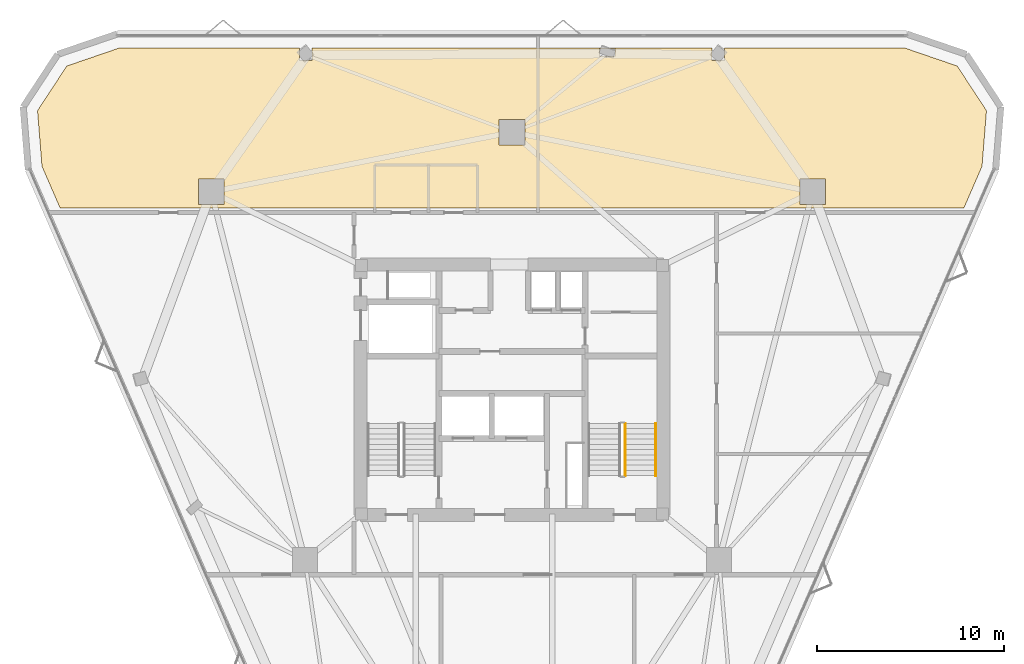
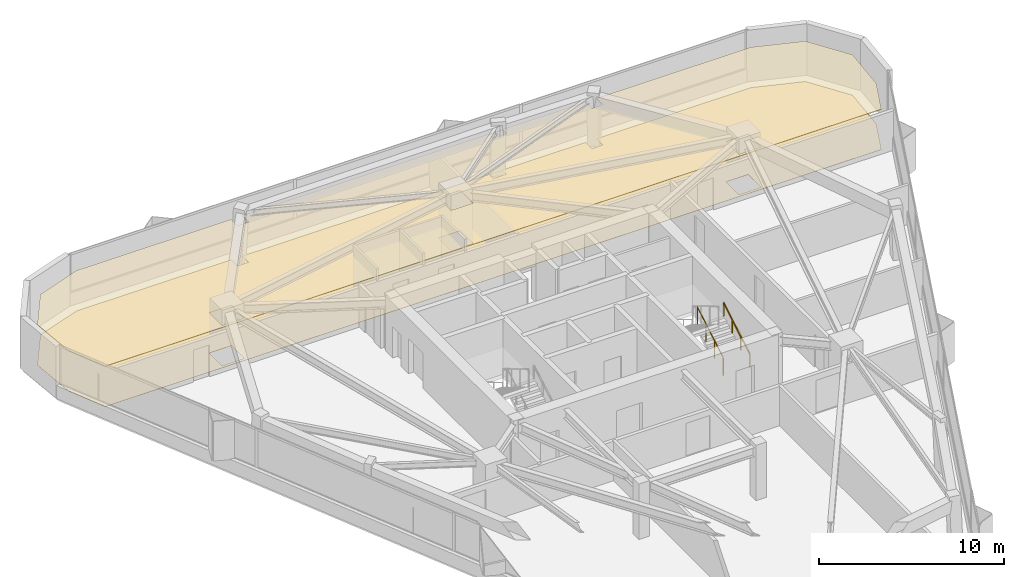
# One storey, part 13 of 13: 2 coverings, 2 railings.
"""IFC4 building model written with IfcOpenShell, lengths in metres."""

from ifc_helpers import new_model, si_unit, direction, frame, origin, origin_2d, place, context, subcontext, project, spatial, polyline, rectangle, outline, extrude, material, layer, layer_set, type_object, element, save


model = new_model("IFC4")

# Units and contexts
model_context = context("Model", 3, precision=1e-05, world=origin(), true_north=direction((0.0, 1.0)))
body_context = subcontext(model_context, "Body", "Model", "MODEL_VIEW")
ifc_project = project(units=[si_unit("LENGTHUNIT", "METRE"), si_unit("AREAUNIT", "SQUARE_METRE"), si_unit("VOLUMEUNIT", "CUBIC_METRE"), si_unit("PLANEANGLEUNIT", "RADIAN"), si_unit("MASSUNIT", "GRAM", prefix="KILO")], contexts=[model_context])

# Site, building, storey
site_placement = place(None, origin())
site = spatial("IfcSite", under=ifc_project, at=site_placement, CompositionType="ELEMENT")
building_placement = place(site_placement, origin())
building = spatial("IfcBuilding", under=site, at=building_placement, Name="Talyreon Biosciences Tower", CompositionType="ELEMENT")
storey_placement = place(building_placement, frame((0.0, 0.0, 190.35009765625)))
storey = spatial("IfcBuildingStorey", under=building, at=storey_placement, Name="L50", CompositionType="ELEMENT", Elevation=190.35009765625)

# Coverings
ifc_material_1 = material(Name="Cleanable acoustic mineral-fibre ceiling tile", Category="gypsum")
ifc_layer_1 = layer(ifc_material_1, 0.0400390625)
ifc_layer_set_1 = layer_set([ifc_layer_1], Name="Cleanable acoustic mineral-fibre ceiling tile")
covering_type_1 = type_object("IfcCoveringType", Name="AcousticCleanroomCeiling_40", PredefinedType="CEILING", material=ifc_layer_set_1)
covering_1_placement = place(storey_placement, frame((0.0, 0.0, 2.639892578125)))
element("IfcCovering", 1, at=covering_1_placement, inside=storey, type_object=covering_type_1, Name="L50 Acoustic Laboratory Ceiling", PredefinedType="CEILING", context=body_context, shape_type="SweptSolid", body=[
    extrude(outline(polyline([(40.59912109375, 82.94287109375), (42.166015625, 85.332763671875), (44.994140625, 86.302001953125), (54.623046875, 86.302001953125), (54.623046875, 85.623291015625), (55.302978515625, 85.623291015625), (55.302978515625, 86.302001953125), (76.697021484375, 86.302001953125), (76.697021484375, 85.623291015625), (77.376953125, 85.623291015625), (77.376953125, 86.302001953125), (87.005859375, 86.302001953125), (89.833984375, 85.332763671875), (91.40087890625, 82.94287109375), (91.16162109375, 79.962646484375), (90.1904296875, 77.72998046875), (41.8095703125, 77.72998046875), (40.83837890625, 79.962646484375), (40.59912109375, 82.94287109375)]), holes=[polyline([(49.20751953125, 77.90869140625), (50.587646484375, 77.90869140625), (50.587646484375, 79.288818359375), (49.20751953125, 79.288818359375), (49.20751953125, 77.90869140625)]), polyline([(65.31005859375, 81.098876953125), (66.68994140625, 81.098876953125), (66.68994140625, 82.47900390625), (65.31005859375, 82.47900390625), (65.31005859375, 81.098876953125)]), polyline([(82.79248046875, 77.90869140625), (82.79248046875, 79.288818359375), (81.412353515625, 79.288818359375), (81.412353515625, 77.90869140625), (82.79248046875, 77.90869140625)]), polyline([(71.509033203125, 86.2783203125), (70.678955078125, 86.2783203125), (70.678955078125, 85.84814453125), (71.509033203125, 85.84814453125), (71.509033203125, 86.2783203125)])]), origin(), (0.0, 0.0, 1.0), 0.0400390625),
])
ifc_material_2 = material(Name="Chemical-resistant seamless epoxy resin flooring", Category="plastic")
ifc_layer_2 = layer(ifc_material_2, 0.014892578125)
ifc_layer_set_2 = layer_set([ifc_layer_2], Name="Chemical-resistant seamless epoxy resin flooring")
covering_type_2 = type_object("IfcCoveringType", Name="SeamlessEpoxyLabFlooring_15", PredefinedType="FLOORING", material=ifc_layer_set_2)
covering_2_placement = place(storey_placement, origin())
element("IfcCovering", 2, at=covering_2_placement, inside=storey, type_object=covering_type_2, Name="L50 Laboratory Floor Finish", PredefinedType="FLOORING", context=body_context, shape_type="SweptSolid", body=[
    extrude(outline(polyline([(40.59912109375, 82.94287109375), (42.166015625, 85.332763671875), (44.994140625, 86.302001953125), (54.623046875, 86.302001953125), (54.623046875, 85.623291015625), (55.302978515625, 85.623291015625), (55.302978515625, 86.302001953125), (76.697021484375, 86.302001953125), (76.697021484375, 85.623291015625), (77.376953125, 85.623291015625), (77.376953125, 86.302001953125), (87.005859375, 86.302001953125), (89.833984375, 85.332763671875), (91.40087890625, 82.94287109375), (91.16162109375, 79.962646484375), (90.1904296875, 77.72998046875), (41.8095703125, 77.72998046875), (40.83837890625, 79.962646484375), (40.59912109375, 82.94287109375)]), holes=[polyline([(49.20751953125, 77.90869140625), (50.587646484375, 77.90869140625), (50.587646484375, 79.288818359375), (49.20751953125, 79.288818359375), (49.20751953125, 77.90869140625)]), polyline([(65.31005859375, 81.098876953125), (66.68994140625, 81.098876953125), (66.68994140625, 82.47900390625), (65.31005859375, 82.47900390625), (65.31005859375, 81.098876953125)]), polyline([(82.79248046875, 77.90869140625), (82.79248046875, 79.288818359375), (81.412353515625, 79.288818359375), (81.412353515625, 77.90869140625), (82.79248046875, 77.90869140625)]), polyline([(71.509033203125, 86.2783203125), (70.678955078125, 86.2783203125), (70.678955078125, 85.84814453125), (71.509033203125, 85.84814453125), (71.509033203125, 86.2783203125)])]), origin(), (0.0, 0.0, 1.0), 0.014892578125),
])

# Railings
ifc_material_3 = material(Name="Brushed stainless-steel tubular handrail", Category="steel")
railing_type_1 = type_object("IfcRailingType", Name="StairWallHandrail_900", PredefinedType="HANDRAIL", material=ifc_material_3)
railing_1_placement = place(storey_placement, frame((73.699951171875, 63.39990234375, 0.165771484375)))
element("IfcRailing", 3, at=railing_1_placement, inside=storey, type_object=railing_type_1, Name="L50 ST-2 stair handrail 1", PredefinedType="HANDRAIL", context=body_context, shape_type="SweptSolid", body=[
    extrude(rectangle(XDim=0.048095703125, YDim=0.048095703125, at=origin_2d()), frame((0.0, 0.0, 0.8759765625), z_axis=(0.0, 0.860306154799, 0.50977771628), x_axis=(-1.0, 0.0, 0.0)), (0.0, 0.0, 1.0), 3.254638671875),
    extrude(rectangle(XDim=0.0419921875, YDim=0.0419921875, at=origin_2d()), origin(), (0.0, 0.0, 1.0), 0.851806640625),
    extrude(rectangle(XDim=0.0419921875, YDim=0.0419921875, at=origin_2d()), frame((0.0, 0.933349609375, 0.552978515625)), (0.0, 0.0, 1.0), 0.851806640625),
    extrude(rectangle(XDim=0.0419921875, YDim=0.0419921875, at=origin_2d()), frame((0.0, 1.86669921875, 1.106201171875)), (0.0, 0.0, 1.0), 0.851806640625),
    extrude(rectangle(XDim=0.0419921875, YDim=0.0419921875, at=origin_2d()), frame((0.0, 2.800048828125, 1.6591796875)), (0.0, 0.0, 1.0), 0.851806640625),
])
ifc_material_4 = material(Name="Painted galvanised steel post-and-rail balustrade", Category="steel")
railing_type_2 = type_object("IfcRailingType", Name="TerraceStairGuard_1200", PredefinedType="GUARDRAIL", material=ifc_material_4)
railing_2_placement = place(storey_placement, frame((72.06005859375, 63.39990234375, 0.165771484375)))
element("IfcRailing", 4, at=railing_2_placement, inside=storey, type_object=railing_type_2, Name="L50 ST-2 stair guard 1", PredefinedType="GUARDRAIL", context=body_context, shape_type="SweptSolid", body=[
    extrude(rectangle(XDim=0.048095703125, YDim=0.048095703125, at=origin_2d()), frame((0.0, 0.0, 1.17578125), z_axis=(0.0, 0.860306154799, 0.50977771628), x_axis=(-1.0, 0.0, 0.0)), (0.0, 0.0, 1.0), 3.254638671875),
    extrude(rectangle(XDim=0.0419921875, YDim=0.0419921875, at=origin_2d()), origin(), (0.0, 0.0, 1.0), 1.15185546875),
    extrude(rectangle(XDim=0.0419921875, YDim=0.0419921875, at=origin_2d()), frame((0.0, 0.933349609375, 0.552978515625)), (0.0, 0.0, 1.0), 1.15185546875),
    extrude(rectangle(XDim=0.0419921875, YDim=0.0419921875, at=origin_2d()), frame((0.0, 1.86669921875, 1.106201171875)), (0.0, 0.0, 1.0), 1.15185546875),
    extrude(rectangle(XDim=0.0419921875, YDim=0.0419921875, at=origin_2d()), frame((0.0, 2.800048828125, 1.6591796875)), (0.0, 0.0, 1.0), 1.15185546875),
])

save(model, "model.ifc")
